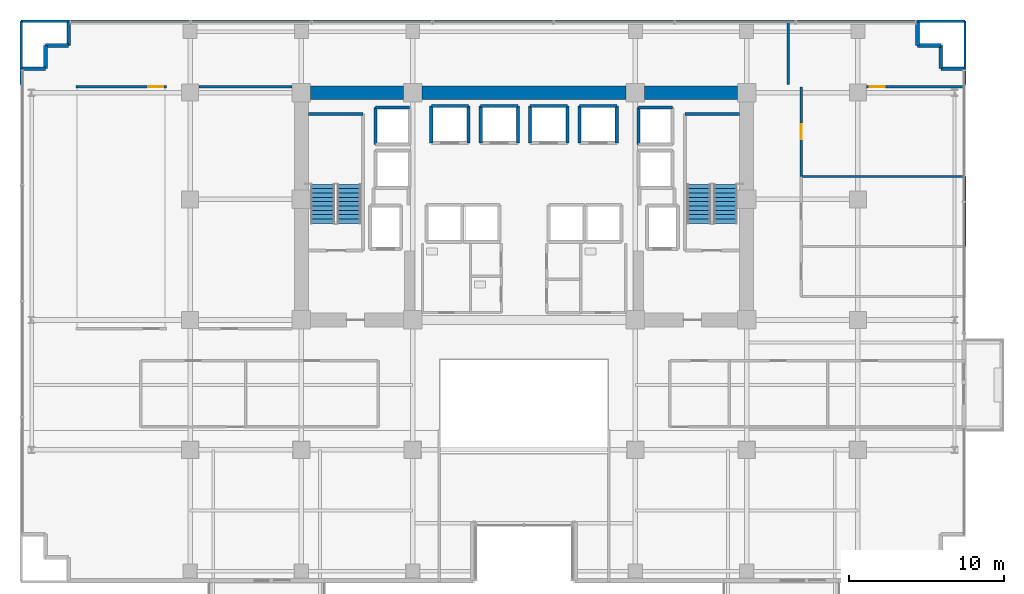
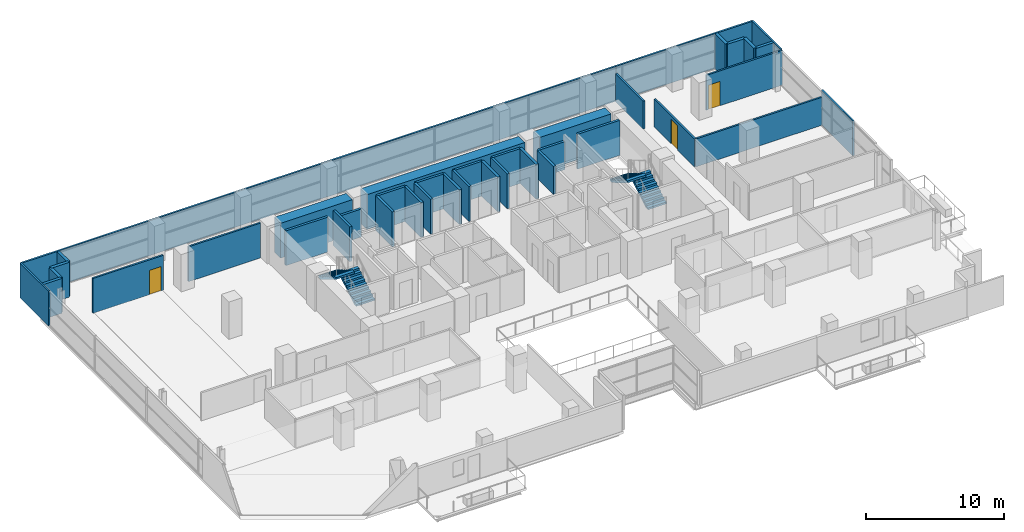
# One storey, part 25 of 30: 40 walls, 4 stair flights, 3 doors, 3 openings, 2 elements without a shape of their own.
"""IFC4 building model written with IfcOpenShell, lengths in metres."""

from ifc_helpers import new_model, si_unit, direction, frame, frame_2d, origin, place, context, subcontext, project, spatial, polyline, rectangle, outline, extrude, source, transform, mapped, material, layer, layer_set, type_object, element, fill, aggregate, save


model = new_model("IFC4")

# Units and contexts
model_context = context("Model", 3, precision=1e-05, world=origin(), true_north=direction((0.0, 1.0)))
body_context = subcontext(model_context, "Body", "Model", "MODEL_VIEW")
ifc_project = project(units=[si_unit("LENGTHUNIT", "METRE"), si_unit("AREAUNIT", "SQUARE_METRE"), si_unit("VOLUMEUNIT", "CUBIC_METRE"), si_unit("PLANEANGLEUNIT", "RADIAN"), si_unit("MASSUNIT", "GRAM", prefix="KILO")], contexts=[model_context])

# Site, building, storey
site_placement = place(None, origin())
site = spatial("IfcSite", under=ifc_project, at=site_placement, CompositionType="ELEMENT")
building_placement = place(site_placement, origin())
building = spatial("IfcBuilding", under=site, at=building_placement, Name="Zarnakvel Exchange Tower", CompositionType="ELEMENT")
storey_placement = place(building_placement, frame((0.0, 0.0, 50.5)))
storey = spatial("IfcBuildingStorey", under=building, at=storey_placement, Name="L13", CompositionType="ELEMENT", Elevation=50.5)

# Walls
ifc_material_1 = material(Name="Concrete C80/95", Category="concrete")
ifc_layer_1 = layer(ifc_material_1, 0.89990234375)
ifc_layer_set_1 = layer_set([ifc_layer_1], Name="Concrete C80/95")
wall_type_1 = type_object("IfcWallType", Name="CW-C1", PredefinedType="SHEAR", material=ifc_layer_set_1)
wall_1_placement = place(storey_placement, frame((-13.800048828125, 13.5, 0.0), z_axis=(0.0, 0.0, 1.0), x_axis=(1.0, 0.0, 0.0)))
element("IfcWall", 1, at=wall_1_placement, inside=storey, type_object=wall_type_1, Name="L13 Rear Core Shear Wall N1 (CW-C1)", PredefinedType="SHEAR", context=body_context, shape_type="SweptSolid", body=[
    extrude(rectangle(XDim=6.0, YDim=0.89990234375, at=frame_2d((3.0, 0.0))), origin(), (0.0, 0.0, 1.0), 3.074951171875),
])
wall_2_placement = place(storey_placement, frame((-6.60009765625, 13.5, 0.0), z_axis=(0.0, 0.0, 1.0), x_axis=(1.0, 0.0, 0.0)))
element("IfcWall", 2, at=wall_2_placement, inside=storey, type_object=wall_type_1, Name="L13 Rear Core Shear Wall N2 (CW-C1)", PredefinedType="SHEAR", context=body_context, shape_type="SweptSolid", body=[
    extrude(rectangle(XDim=13.2001953125, YDim=0.89990234375, at=frame_2d((6.60009765625, 0.0))), origin(), (0.0, 0.0, 1.0), 3.074951171875),
])
wall_3_placement = place(storey_placement, frame((7.800048828125, 13.5, 0.0), z_axis=(0.0, 0.0, 1.0), x_axis=(1.0, 0.0, 0.0)))
element("IfcWall", 3, at=wall_3_placement, inside=storey, type_object=wall_type_1, Name="L13 Rear Core Shear Wall N3 (CW-C1)", PredefinedType="SHEAR", context=body_context, shape_type="SweptSolid", body=[
    extrude(rectangle(XDim=6.0, YDim=0.89990234375, at=frame_2d((3.0, 0.0))), origin(), (0.0, 0.0, 1.0), 3.074951171875),
])
ifc_material_2 = material(Name="Precast concrete C40/50", Category="concrete")
ifc_layer_2 = layer(ifc_material_2, 0.239990234375)
ifc_layer_set_2 = layer_set([ifc_layer_2], Name="Precast concrete C40/50")
wall_type_2 = type_object("IfcWallType", Name="EW-02", PredefinedType="SOLIDWALL", material=ifc_layer_set_2)
for number, where, z_axis, x_axis, name in (
    (4, (-30.9599609375, 15.06005859375, 0.0), (0.0, 0.0, 1.0), (-1.0, 0.0, 0.0), "L13 Exterior Precast Spandrel Wall EWC-L13-01 (EW-02)"),
    (5, (-30.9599609375, 16.56005859375, 0.0), (0.0, 0.0, 1.0), (0.0, -1.0, 0.0), "L13 Exterior Precast Spandrel Wall EWC-L13-02 (EW-02)"),
    (6, (-29.4599609375, 16.56005859375, 0.0), (0.0, 0.0, 1.0), (-1.0, 0.0, 0.0), "L13 Exterior Precast Spandrel Wall EWC-L13-03 (EW-02)"),
    (7, (-29.4599609375, 18.06005859375, 0.0), (0.0, 0.0, 1.0), (0.0, -1.0, 0.0), "L13 Exterior Precast Spandrel Wall EWC-L13-04 (EW-02)"),
    (8, (25.4599609375, 16.56005859375, 0.0), (0.0, 0.0, 1.0), (0.0, 1.0, 0.0), "L13 Exterior Precast Spandrel Wall EWC-L13-05 (EW-02)"),
    (9, (26.9599609375, 16.56005859375, 0.0), (0.0, 0.0, 1.0), (-1.0, 0.0, 0.0), "L13 Exterior Precast Spandrel Wall EWC-L13-06 (EW-02)"),
    (10, (26.9599609375, 15.06005859375, 0.0), (0.0, 0.0, 1.0), (0.0, 1.0, 0.0), "L13 Exterior Precast Spandrel Wall EWC-L13-07 (EW-02)"),
    (11, (28.4599609375, 15.06005859375, 0.0), (0.0, 0.0, 1.0), (-1.0, 0.0, 0.0), "L13 Exterior Precast Spandrel Wall EWC-L13-08 (EW-02)"),
):
    element("IfcWall", number, at=place(storey_placement, frame(where, z_axis=z_axis, x_axis=x_axis)), inside=storey, type_object=wall_type_2, Name=name, PredefinedType="SOLIDWALL", context=body_context, shape_type="SweptSolid", body=[
        extrude(rectangle(XDim=1.5, YDim=0.239990234375, at=frame_2d((0.75, 0.0))), origin(), (0.0, 0.0, 1.0), 3.074951171875),
    ])

# Wall, opening, door
ifc_material_3 = material(Name="Fire-Rated Gypsum Stud Partition", Category="gypsum")
ifc_layer_3 = layer(ifc_material_3, 0.14990234375)
ifc_layer_set_3 = layer_set([ifc_layer_3], Name="Fire-Rated Gypsum Stud Partition")
wall_type_3 = type_object("IfcWallType", Name="PT-01", PredefinedType="PARTITIONING", material=ifc_layer_set_3)
wall_4_placement = place(storey_placement, frame((-28.99609375, 13.8798828125, 0.0), z_axis=(0.0, 0.0, 1.0), x_axis=(1.0, 0.0, 0.0)))
wall_4 = element("IfcWall", 12, at=wall_4_placement, inside=storey, type_object=wall_type_3, Name="L13 Partition Wall PWALL-L13-049 (PT-01)", PredefinedType="PARTITIONING", context=body_context, shape_type="SweptSolid", body=[
    extrude(rectangle(XDim=5.853271484375, YDim=0.14990234375, at=frame_2d((2.9267578125, 0.0))), origin(), (0.0, 0.0, 1.0), 3.074951171875),
])
opening_1_placement = place(wall_4_placement, frame((4.693359375, 0.0, 0.0)))
opening_1 = element("IfcOpeningElement", 13, at=opening_1_placement, cuts=wall_4, Name="Opening D-L13-23", PredefinedType="OPENING", context=body_context, shape_type="SweptSolid", body=[
    extrude(rectangle(XDim=0.97998046875, YDim=2.14990234375, at=frame_2d((0.489990234375, 1.074951171875))), frame((0.0, 0.0849609375, 0.0), z_axis=(0.0, -1.0, 0.0), x_axis=(1.0, 0.0, 0.0)), (0.0, 0.0, 1.0), 0.169921875),
])
ifc_material_4 = material(Name="Timber Acoustic Veneer", Category="wood")
door_type = type_object("IfcDoorType", Name="DT-05", OperationType="NOTDEFINED", PredefinedType="DOOR", material=ifc_material_4)
shared_shape = source(origin(), body_context, "Body", "SweptSolid", [
    extrude(rectangle(XDim=0.97998046875, YDim=2.14990234375, at=frame_2d((0.489990234375, 1.074951171875))), frame((0.0, 0.02490234375, 0.0), z_axis=(0.0, -1.0, 0.0), x_axis=(1.0, 0.0, 0.0)), (0.0, 0.0, 1.0), 0.050048828125),
])
door_1_placement = place(opening_1_placement, origin())
door_1 = element("IfcDoor", 14, at=door_1_placement, inside=storey, type_object=door_type, Name="L13 Compliance Office Door D-L13-23", OperationType="SINGLE_SWING_LEFT", OverallHeight=2.14990234375, OverallWidth=0.97998046875, PredefinedType="DOOR", context=body_context, shape_type="MappedRepresentation", body=[
    mapped(shared_shape, transform((0.0, 0.0, 0.0), x_axis=(1.0, 0.0, 0.0), y_axis=(0.0, 1.0, 0.0), z_axis=(0.0, 0.0, 1.0), scale=1.0)),
])
fill(opening_1, door_1)

# Walls
wall_5_placement = place(storey_placement, frame((-21.030029296875, 13.8798828125, 0.0), z_axis=(0.0, 0.0, 1.0), x_axis=(1.0, 0.0, 0.0)))
element("IfcWall", 15, at=wall_5_placement, inside=storey, type_object=wall_type_3, Name="L13 Partition Wall PWALL-L13-051 (PT-01)", PredefinedType="PARTITIONING", context=body_context, shape_type="SweptSolid", body=[
    extrude(rectangle(XDim=6.010009765625, YDim=0.14990234375, at=frame_2d((3.0048828125, 0.0))), origin(), (0.0, 0.0, 1.0), 3.074951171875),
])
wall_6_placement = place(storey_placement, frame((17.929931640625, 8.0751953125, 0.0), z_axis=(0.0, 0.0, 1.0), x_axis=(1.0, 0.0, 0.0)))
element("IfcWall", 16, at=wall_6_placement, inside=storey, type_object=wall_type_3, Name="L13 Partition Wall PWALL-L13-056 (PT-01)", PredefinedType="PARTITIONING", context=body_context, shape_type="SweptSolid", body=[
    extrude(rectangle(XDim=10.60009765625, YDim=0.14990234375, at=frame_2d((5.300048828125, 0.0))), origin(), (0.0, 0.0, 1.0), 2.465087890625),
])
wall_7_placement = place(storey_placement, frame((28.530029296875, 8.0751953125, 0.0), z_axis=(0.0, 0.0, 1.0), x_axis=(0.0, -1.0, 0.0)))
element("IfcWall", 17, at=wall_7_placement, inside=storey, type_object=wall_type_3, Name="L13 Partition Wall PWALL-L13-058 (PT-01)", PredefinedType="PARTITIONING", context=body_context, shape_type="SweptSolid", body=[
    extrude(rectangle(XDim=4.521728515625, YDim=0.14990234375, at=frame_2d((2.2607421875, 0.0))), origin(), (0.0, 0.0, 1.0), 3.074951171875),
])

# Wall, opening, door
wall_8_placement = place(storey_placement, frame((22.169921875, 13.8798828125, 0.0), z_axis=(0.0, 0.0, 1.0), x_axis=(1.0, 0.0, 0.0)))
wall_8 = element("IfcWall", 18, at=wall_8_placement, inside=storey, type_object=wall_type_3, Name="L13 Partition Wall PWALL-L13-059 (PT-01)", PredefinedType="PARTITIONING", context=body_context, shape_type="SweptSolid", body=[
    extrude(rectangle(XDim=6.360107421875, YDim=0.14990234375, at=frame_2d((3.18017578125, 0.0))), origin(), (0.0, 0.0, 1.0), 3.074951171875),
])
opening_2_placement = place(wall_8_placement, frame((0.179931640625, 0.0, 0.0)))
opening_2 = element("IfcOpeningElement", 19, at=opening_2_placement, cuts=wall_8, Name="Opening D-L13-24", PredefinedType="OPENING", context=body_context, shape_type="SweptSolid", body=[
    extrude(rectangle(XDim=0.97998046875, YDim=2.14990234375, at=frame_2d((0.489990234375, 1.074951171875))), frame((0.0, 0.0849609375, 0.0), z_axis=(0.0, -1.0, 0.0), x_axis=(1.0, 0.0, 0.0)), (0.0, 0.0, 1.0), 0.169921875),
])
door_2_placement = place(opening_2_placement, origin())
door_2 = element("IfcDoor", 20, at=door_2_placement, inside=storey, type_object=door_type, Name="L13 Client Lounge Door D-L13-24", OperationType="SINGLE_SWING_RIGHT", OverallHeight=2.14990234375, OverallWidth=0.97998046875, PredefinedType="DOOR", context=body_context, shape_type="MappedRepresentation", body=[
    mapped(shared_shape, transform((0.0, 0.0, 0.0), x_axis=(1.0, 0.0, 0.0), y_axis=(0.0, 1.0, 0.0), z_axis=(0.0, 0.0, 1.0), scale=1.0)),
])
fill(opening_2, door_2)

wall_9_placement = place(storey_placement, frame((17.929931640625, 8.0751953125, 0.0), z_axis=(0.0, 0.0, 1.0), x_axis=(0.0, 1.0, 0.0)))
wall_9 = element("IfcWall", 21, at=wall_9_placement, inside=storey, type_object=wall_type_3, Name="L13 Partition Wall PWALL-L13-060 (PT-01)", PredefinedType="PARTITIONING", context=body_context, shape_type="SweptSolid", body=[
    extrude(rectangle(XDim=5.8046875, YDim=0.14990234375, at=frame_2d((2.90234375, 0.0))), origin(), (0.0, 0.0, 1.0), 2.465087890625),
])
opening_3_placement = place(wall_9_placement, frame((2.41259765625, 0.0, 0.0)))
opening_3 = element("IfcOpeningElement", 22, at=opening_3_placement, cuts=wall_9, Name="Opening D-L13-22", PredefinedType="OPENING", context=body_context, shape_type="SweptSolid", body=[
    extrude(rectangle(XDim=0.97998046875, YDim=2.14990234375, at=frame_2d((0.489990234375, 1.074951171875))), frame((0.0, 0.0849609375, 0.0), z_axis=(0.0, -1.0, 0.0), x_axis=(1.0, 0.0, 0.0)), (0.0, 0.0, 1.0), 0.169921875),
])
door_3_placement = place(opening_3_placement, origin())
door_3 = element("IfcDoor", 23, at=door_3_placement, inside=storey, type_object=door_type, Name="L13 Derivatives Trading Hall Door D-L13-22", OperationType="SINGLE_SWING_RIGHT", OverallHeight=2.14990234375, OverallWidth=0.97998046875, PredefinedType="DOOR", context=body_context, shape_type="MappedRepresentation", body=[
    mapped(shared_shape, transform((0.0, 0.0, 0.0), x_axis=(1.0, 0.0, 0.0), y_axis=(0.0, 1.0, 0.0), z_axis=(0.0, 0.0, 1.0), scale=1.0)),
])
fill(opening_3, door_3)

# Walls
wall_10_placement = place(storey_placement, frame((-32.530029296875, 18.1298828125, 0.0), z_axis=(0.0, 0.0, 1.0), x_axis=(1.0, 0.0, 0.0)))
element("IfcWall", 24, at=wall_10_placement, inside=storey, type_object=wall_type_3, Name="L13 Partition Wall PWALL-L13-061 (PT-01)", PredefinedType="PARTITIONING", context=body_context, shape_type="SweptSolid", body=[
    extrude(rectangle(XDim=49.630126953125, YDim=0.14990234375, at=frame_2d((24.81494140625, 0.0))), origin(), (0.0, 0.0, 1.0), 3.074951171875),
])
wall_11_placement = place(storey_placement, frame((-32.530029296875, 14.030029296875, 0.0), z_axis=(0.0, 0.0, 1.0), x_axis=(0.0, 1.0, 0.0)))
element("IfcWall", 25, at=wall_11_placement, inside=storey, type_object=wall_type_3, Name="L13 Partition Wall PWALL-L13-062 (PT-01)", PredefinedType="PARTITIONING", context=body_context, shape_type="SweptSolid", body=[
    extrude(rectangle(XDim=4.099853515625, YDim=0.14990234375, at=frame_2d((2.0498046875, 0.0))), origin(), (0.0, 0.0, 1.0), 3.074951171875),
])
wall_12_placement = place(storey_placement, frame((17.10009765625, 18.1298828125, 0.0), z_axis=(0.0, 0.0, 1.0), x_axis=(0.0, -1.0, 0.0)))
element("IfcWall", 26, at=wall_12_placement, inside=storey, type_object=wall_type_3, Name="L13 Partition Wall PWALL-L13-063 (PT-01)", PredefinedType="PARTITIONING", context=body_context, shape_type="SweptSolid", body=[
    extrude(rectangle(XDim=4.099853515625, YDim=0.14990234375, at=frame_2d((2.0498046875, 0.0))), origin(), (0.0, 0.0, 1.0), 2.465087890625),
])
wall_13_placement = place(storey_placement, frame((17.10009765625, 18.1298828125, 0.0), z_axis=(0.0, 0.0, 1.0), x_axis=(1.0, 0.0, 0.0)))
element("IfcWall", 27, at=wall_13_placement, inside=storey, type_object=wall_type_3, Name="L13 Partition Wall PWALL-L13-064 (PT-01)", PredefinedType="PARTITIONING", context=body_context, shape_type="SweptSolid", body=[
    extrude(rectangle(XDim=11.429931640625, YDim=0.14990234375, at=frame_2d((5.71484375, 0.0))), origin(), (0.0, 0.0, 1.0), 3.074951171875),
])
wall_14_placement = place(storey_placement, frame((28.530029296875, 18.1298828125, 0.0), z_axis=(0.0, 0.0, 1.0), x_axis=(0.0, -1.0, 0.0)))
element("IfcWall", 28, at=wall_14_placement, inside=storey, type_object=wall_type_3, Name="L13 Partition Wall PWALL-L13-065 (PT-01)", PredefinedType="PARTITIONING", context=body_context, shape_type="SweptSolid", body=[
    extrude(rectangle(XDim=4.099853515625, YDim=0.14990234375, at=frame_2d((2.0498046875, 0.0))), origin(), (0.0, 0.0, 1.0), 3.074951171875),
])
ifc_material_5 = material(Name="Concrete C40/50", Category="concrete")
ifc_layer_4 = layer(ifc_material_5, 0.199951171875)
ifc_layer_set_4 = layer_set([ifc_layer_4], Name="Concrete C40/50")
wall_type_4 = type_object("IfcWallType", Name="SW-01", PredefinedType="SOLIDWALL", material=ifc_layer_set_4)
for number, where, z_axis, x_axis, name in (
    (29, (-6.0, 12.64990234375, 0.0), (0.0, 0.0, 1.0), (1.0, 0.0, 0.0), "L13 PL-01 Hoistway Wall North"),
    (30, (-6.0, 10.25, 0.0), (0.0, 0.0, 1.0), (0.0, 1.0, 0.0), "L13 PL-01 Hoistway Wall West"),
    (31, (-3.60009765625, 12.64990234375, 0.0), (0.0, 0.0, 1.0), (0.0, -1.0, 0.0), "L13 PL-01 Hoistway Wall East"),
):
    element("IfcWall", number, at=place(storey_placement, frame(where, z_axis=z_axis, x_axis=x_axis)), inside=storey, type_object=wall_type_4, Name=name, PredefinedType="SOLIDWALL", context=body_context, shape_type="SweptSolid", body=[
        extrude(rectangle(XDim=2.39990234375, YDim=0.199951171875, at=frame_2d((1.199951171875, 0.0))), origin(), (0.0, 0.0, 1.0), 3.074951171875),
    ])
wall_15_placement = place(storey_placement, frame((-2.800048828125, 12.64990234375, 0.0), z_axis=(0.0, 0.0, 1.0), x_axis=(1.0, 0.0, 0.0)))
element("IfcWall", 32, at=wall_15_placement, inside=storey, type_object=wall_type_4, Name="L13 PL-02 Hoistway Wall North", PredefinedType="SOLIDWALL", context=body_context, shape_type="SweptSolid", body=[
    extrude(rectangle(XDim=2.400146484375, YDim=0.199951171875, at=frame_2d((1.2001953125, 0.0))), origin(), (0.0, 0.0, 1.0), 3.074951171875),
])
for number, where, z_axis, x_axis, name in (
    (33, (-2.800048828125, 10.25, 0.0), (0.0, 0.0, 1.0), (0.0, 1.0, 0.0), "L13 PL-02 Hoistway Wall West"),
    (34, (-0.39990234375, 12.64990234375, 0.0), (0.0, 0.0, 1.0), (0.0, -1.0, 0.0), "L13 PL-02 Hoistway Wall East"),
):
    element("IfcWall", number, at=place(storey_placement, frame(where, z_axis=z_axis, x_axis=x_axis)), inside=storey, type_object=wall_type_4, Name=name, PredefinedType="SOLIDWALL", context=body_context, shape_type="SweptSolid", body=[
        extrude(rectangle(XDim=2.39990234375, YDim=0.199951171875, at=frame_2d((1.199951171875, 0.0))), origin(), (0.0, 0.0, 1.0), 3.074951171875),
    ])
wall_16_placement = place(storey_placement, frame((0.39990234375, 12.64990234375, 0.0), z_axis=(0.0, 0.0, 1.0), x_axis=(1.0, 0.0, 0.0)))
element("IfcWall", 35, at=wall_16_placement, inside=storey, type_object=wall_type_4, Name="L13 PL-03 Hoistway Wall North", PredefinedType="SOLIDWALL", context=body_context, shape_type="SweptSolid", body=[
    extrude(rectangle(XDim=2.400146484375, YDim=0.199951171875, at=frame_2d((1.2001953125, 0.0))), origin(), (0.0, 0.0, 1.0), 3.074951171875),
])
for number, where, z_axis, x_axis, name in (
    (36, (0.39990234375, 10.25, 0.0), (0.0, 0.0, 1.0), (0.0, 1.0, 0.0), "L13 PL-03 Hoistway Wall West"),
    (37, (2.800048828125, 12.64990234375, 0.0), (0.0, 0.0, 1.0), (0.0, -1.0, 0.0), "L13 PL-03 Hoistway Wall East"),
    (38, (3.60009765625, 12.64990234375, 0.0), (0.0, 0.0, 1.0), (1.0, 0.0, 0.0), "L13 PL-04 Hoistway Wall North"),
    (39, (3.60009765625, 10.25, 0.0), (0.0, 0.0, 1.0), (0.0, 1.0, 0.0), "L13 PL-04 Hoistway Wall West"),
    (40, (6.0, 12.64990234375, 0.0), (0.0, 0.0, 1.0), (0.0, -1.0, 0.0), "L13 PL-04 Hoistway Wall East"),
):
    element("IfcWall", number, at=place(storey_placement, frame(where, z_axis=z_axis, x_axis=x_axis)), inside=storey, type_object=wall_type_4, Name=name, PredefinedType="SOLIDWALL", context=body_context, shape_type="SweptSolid", body=[
        extrude(rectangle(XDim=2.39990234375, YDim=0.199951171875, at=frame_2d((1.199951171875, 0.0))), origin(), (0.0, 0.0, 1.0), 3.074951171875),
    ])
wall_17_placement = place(storey_placement, frame((-9.60009765625, 12.550048828125, 0.0), z_axis=(0.0, 0.0, 1.0), x_axis=(1.0, 0.0, 0.0)))
element("IfcWall", 41, at=wall_17_placement, inside=storey, type_object=wall_type_4, Name="L13 PL-10 Hoistway Wall North", PredefinedType="SOLIDWALL", context=body_context, shape_type="SweptSolid", body=[
    extrude(rectangle(XDim=2.2001953125, YDim=0.199951171875, at=frame_2d((1.10009765625, 0.0))), origin(), (0.0, 0.0, 1.0), 2.465087890625),
])
wall_18_placement = place(storey_placement, frame((-9.60009765625, 10.14990234375, 0.0), z_axis=(0.0, 0.0, 1.0), x_axis=(0.0, 1.0, 0.0)))
element("IfcWall", 42, at=wall_18_placement, inside=storey, type_object=wall_type_4, Name="L13 PL-10 Hoistway Wall West", PredefinedType="SOLIDWALL", context=body_context, shape_type="SweptSolid", body=[
    extrude(rectangle(XDim=2.400146484375, YDim=0.199951171875, at=frame_2d((1.2001953125, 0.0))), origin(), (0.0, 0.0, 1.0), 3.074951171875),
])
wall_19_placement = place(storey_placement, frame((7.39990234375, 12.550048828125, 0.0), z_axis=(0.0, 0.0, 1.0), x_axis=(1.0, 0.0, 0.0)))
element("IfcWall", 43, at=wall_19_placement, inside=storey, type_object=wall_type_4, Name="L13 PL-12 Hoistway Wall North", PredefinedType="SOLIDWALL", context=body_context, shape_type="SweptSolid", body=[
    extrude(rectangle(XDim=2.2001953125, YDim=0.199951171875, at=frame_2d((1.10009765625, 0.0))), origin(), (0.0, 0.0, 1.0), 2.465087890625),
])
wall_20_placement = place(storey_placement, frame((7.39990234375, 10.14990234375, 0.0), z_axis=(0.0, 0.0, 1.0), x_axis=(0.0, 1.0, 0.0)))
element("IfcWall", 44, at=wall_20_placement, inside=storey, type_object=wall_type_4, Name="L13 PL-12 Hoistway Wall West", PredefinedType="SOLIDWALL", context=body_context, shape_type="SweptSolid", body=[
    extrude(rectangle(XDim=2.400146484375, YDim=0.199951171875, at=frame_2d((1.2001953125, 0.0))), origin(), (0.0, 0.0, 1.0), 2.465087890625),
])
ifc_layer_5 = layer(ifc_material_5, 0.199951171875)
ifc_layer_set_5 = layer_set([ifc_layer_5], Name="Concrete C40/50")
wall_type_5 = type_object("IfcWallType", Name="SW-02", PredefinedType="SOLIDWALL", material=ifc_layer_set_5)
for number, where, z_axis, x_axis, name in (
    (45, (-13.929931640625, 12.1298828125, 0.0), (0.0, 0.0, 1.0), (1.0, 0.0, 0.0), "L13 Stairwell Core Wall PWALL-L13-002 (SW-02)"),
    (46, (10.409912109375, 12.1298828125, 0.0), (0.0, 0.0, 1.0), (1.0, 0.0, 0.0), "L13 Stairwell Core Wall PWALL-L13-005 (SW-02)"),
):
    element("IfcWall", number, at=place(storey_placement, frame(where, z_axis=z_axis, x_axis=x_axis)), inside=storey, type_object=wall_type_5, Name=name, PredefinedType="SOLIDWALL", context=body_context, shape_type="SweptSolid", body=[
        extrude(rectangle(XDim=3.52001953125, YDim=0.199951171875, at=frame_2d((1.760009765625, 0.0))), origin(), (0.0, 0.0, 1.0), 3.074951171875),
    ])

# Stair, stair flights
stair_type = type_object("IfcStairType", Name="STR-01", PredefinedType="HALF_TURN_STAIR", material=ifc_material_5)
stair_1_placement = place(storey_placement, origin())
stair_1 = element("IfcStair", 47, at=stair_1_placement, inside=storey, type_object=stair_type, Name="L13 Protected Core Exit Stair ST-01", PredefinedType="HALF_TURN_STAIR")
stair_flight_type = type_object("IfcStairFlightType", Name="FLT-01", PredefinedType="STRAIGHT", material=ifc_material_5)
stair_flight_1_placement = place(storey_placement, frame((-11.31494140625, 5.050048828125, 0.0), z_axis=(0.0, 0.0, 1.0), x_axis=(0.0, 1.0, 0.0)))
stair_flight_1 = element("IfcStairFlight", 48, at=stair_flight_1_placement, type_object=stair_flight_type, Name="ST-01 flight 1", NumberOfRisers=10, NumberOfTreads=9, PredefinedType="STRAIGHT", RiserHeight=0.165, TreadLength=0.28, context=body_context, shape_type="SweptSolid", body=[
    extrude(outline(polyline([(0.0, 0.0), (0.0, 0.1650390625), (0.280029296875, 0.1650390625), (0.280029296875, 0.330078125), (0.56005859375, 0.330078125), (0.56005859375, 0.4951171875), (0.840087890625, 0.4951171875), (0.840087890625, 0.659912109375), (1.1201171875, 0.659912109375), (1.1201171875, 0.824951171875), (1.39990234375, 0.824951171875), (1.39990234375, 0.989990234375), (1.679931640625, 0.989990234375), (1.679931640625, 1.155029296875), (1.9599609375, 1.155029296875), (1.9599609375, 1.320068359375), (2.239990234375, 1.320068359375), (2.239990234375, 1.485107421875), (2.52001953125, 1.485107421875), (2.52001953125, 1.64990234375), (2.52001953125, 1.31103515625), (0.295166015625, 0.0), (0.0, 0.0)])), frame((0.0, 0.77490234375, 0.0), z_axis=(0.0, -1.0, 0.0), x_axis=(1.0, 0.0, 0.0)), (0.0, 0.0, 1.0), 1.550048828125),
])
stair_flight_2_placement = place(storey_placement, frame((-13.02490234375, 7.570068359375, 1.64990234375), z_axis=(0.0, 0.0, 1.0), x_axis=(0.0, -1.0, 0.0)))
stair_flight_2 = element("IfcStairFlight", 49, at=stair_flight_2_placement, type_object=stair_flight_type, Name="ST-01 flight 2", NumberOfRisers=10, NumberOfTreads=9, PredefinedType="STRAIGHT", RiserHeight=0.165, TreadLength=0.28, context=body_context, shape_type="SweptSolid", body=[
    extrude(outline(polyline([(0.0, 0.0), (0.0, 0.1650390625), (0.280029296875, 0.1650390625), (0.280029296875, 0.330078125), (0.56005859375, 0.330078125), (0.56005859375, 0.4951171875), (0.840087890625, 0.4951171875), (0.840087890625, 0.659912109375), (1.1201171875, 0.659912109375), (1.1201171875, 0.824951171875), (1.39990234375, 0.824951171875), (1.39990234375, 0.989990234375), (1.679931640625, 0.989990234375), (1.679931640625, 1.155029296875), (1.9599609375, 1.155029296875), (1.9599609375, 1.320068359375), (2.239990234375, 1.320068359375), (2.239990234375, 1.485107421875), (2.52001953125, 1.485107421875), (2.52001953125, 1.64990234375), (2.52001953125, 1.31103515625), (0.295166015625, 0.0), (0.0, 0.0)])), frame((0.0, 0.77490234375, 0.0), z_axis=(0.0, -1.0, 0.0), x_axis=(1.0, 0.0, 0.0)), (0.0, 0.0, 1.0), 1.550048828125),
])
aggregate(stair_1, [stair_flight_1, stair_flight_2])

stair_2_placement = place(storey_placement, origin())
stair_2 = element("IfcStair", 50, at=stair_2_placement, inside=storey, type_object=stair_type, Name="L13 Protected Core Exit Stair ST-02", PredefinedType="HALF_TURN_STAIR")
stair_flight_3_placement = place(storey_placement, frame((13.02490234375, 5.050048828125, 0.0), z_axis=(0.0, 0.0, 1.0), x_axis=(0.0, 1.0, 0.0)))
stair_flight_3 = element("IfcStairFlight", 51, at=stair_flight_3_placement, type_object=stair_flight_type, Name="ST-02 flight 1", NumberOfRisers=10, NumberOfTreads=9, PredefinedType="STRAIGHT", RiserHeight=0.165, TreadLength=0.28, context=body_context, shape_type="SweptSolid", body=[
    extrude(outline(polyline([(0.0, 0.0), (0.0, 0.1650390625), (0.280029296875, 0.1650390625), (0.280029296875, 0.330078125), (0.56005859375, 0.330078125), (0.56005859375, 0.4951171875), (0.840087890625, 0.4951171875), (0.840087890625, 0.659912109375), (1.1201171875, 0.659912109375), (1.1201171875, 0.824951171875), (1.39990234375, 0.824951171875), (1.39990234375, 0.989990234375), (1.679931640625, 0.989990234375), (1.679931640625, 1.155029296875), (1.9599609375, 1.155029296875), (1.9599609375, 1.320068359375), (2.239990234375, 1.320068359375), (2.239990234375, 1.485107421875), (2.52001953125, 1.485107421875), (2.52001953125, 1.64990234375), (2.52001953125, 1.31103515625), (0.295166015625, 0.0), (0.0, 0.0)])), frame((0.0, 0.77490234375, 0.0), z_axis=(0.0, -1.0, 0.0), x_axis=(1.0, 0.0, 0.0)), (0.0, 0.0, 1.0), 1.550048828125),
])
stair_flight_4_placement = place(storey_placement, frame((11.31494140625, 7.570068359375, 1.64990234375), z_axis=(0.0, 0.0, 1.0), x_axis=(0.0, -1.0, 0.0)))
stair_flight_4 = element("IfcStairFlight", 52, at=stair_flight_4_placement, type_object=stair_flight_type, Name="ST-02 flight 2", NumberOfRisers=10, NumberOfTreads=9, PredefinedType="STRAIGHT", RiserHeight=0.165, TreadLength=0.28, context=body_context, shape_type="SweptSolid", body=[
    extrude(outline(polyline([(0.0, 0.0), (0.0, 0.1650390625), (0.280029296875, 0.1650390625), (0.280029296875, 0.330078125), (0.56005859375, 0.330078125), (0.56005859375, 0.4951171875), (0.840087890625, 0.4951171875), (0.840087890625, 0.659912109375), (1.1201171875, 0.659912109375), (1.1201171875, 0.824951171875), (1.39990234375, 0.824951171875), (1.39990234375, 0.989990234375), (1.679931640625, 0.989990234375), (1.679931640625, 1.155029296875), (1.9599609375, 1.155029296875), (1.9599609375, 1.320068359375), (2.239990234375, 1.320068359375), (2.239990234375, 1.485107421875), (2.52001953125, 1.485107421875), (2.52001953125, 1.64990234375), (2.52001953125, 1.31103515625), (0.295166015625, 0.0), (0.0, 0.0)])), frame((0.0, 0.77490234375, 0.0), z_axis=(0.0, -1.0, 0.0), x_axis=(1.0, 0.0, 0.0)), (0.0, 0.0, 1.0), 1.550048828125),
])
aggregate(stair_2, [stair_flight_3, stair_flight_4])

save(model, "model.ifc")
